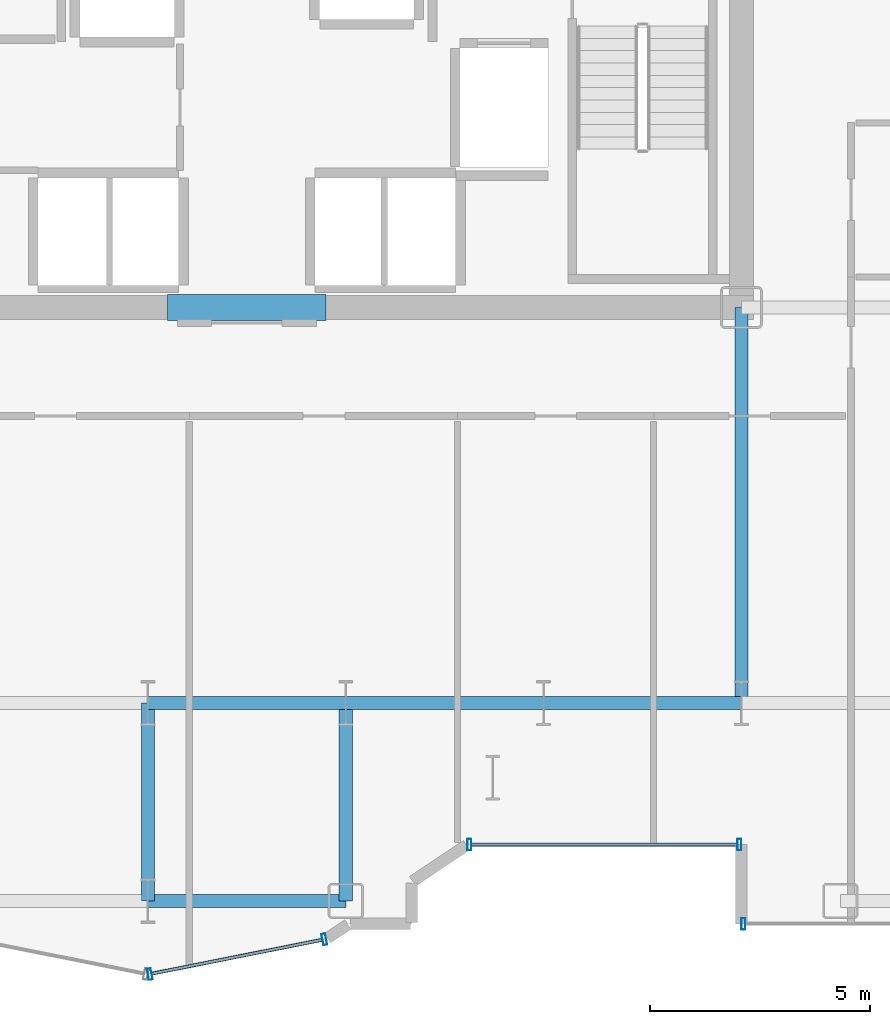
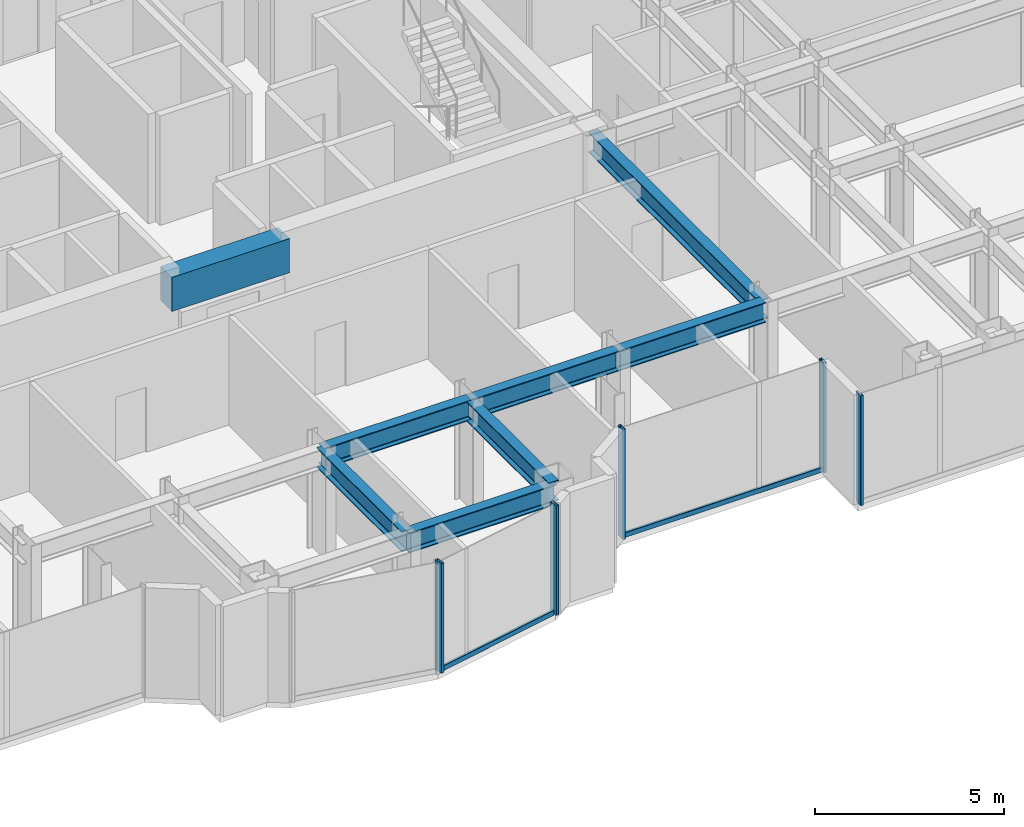
# One storey, part 6 of 26: 8 beams, 7 members, 3 elements without a shape of their own.
"""IFC4 building model written with IfcOpenShell, lengths in metres."""

from ifc_helpers import new_model, si_unit, direction, frame, origin, origin_2d, place, context, subcontext, project, spatial, rectangle, hollow_rectangle, i_section, extrude, source, transform, mapped, material, layer, layer_set, material_profile, profile_set, type_object, element, aggregate, save


model = new_model("IFC4")

# Units and contexts
model_context = context("Model", 3, precision=1e-05, world=origin(), true_north=direction((0.0, 1.0)))
body_context = subcontext(model_context, "Body", "Model", "MODEL_VIEW")
ifc_project = project(units=[si_unit("LENGTHUNIT", "METRE"), si_unit("AREAUNIT", "SQUARE_METRE"), si_unit("VOLUMEUNIT", "CUBIC_METRE"), si_unit("PLANEANGLEUNIT", "RADIAN"), si_unit("MASSUNIT", "GRAM", prefix="KILO")], contexts=[model_context])

# Site, building, storey
site_placement = place(None, origin())
site = spatial("IfcSite", under=ifc_project, at=site_placement, CompositionType="ELEMENT")
building_placement = place(site_placement, origin())
building = spatial("IfcBuilding", under=site, at=building_placement, Name="Nefas-Gora Pilgrimage Tower", CompositionType="ELEMENT")
storey_placement = place(building_placement, frame((0.0, 0.0, 128.800048828125)))
storey = spatial("IfcBuildingStorey", under=building, at=storey_placement, Name="L31", CompositionType="ELEMENT", Elevation=128.800048828125)

# Beams
ifc_material_1 = material(Name="Concrete C60/75", Category="concrete")
ifc_material_profile_1 = material_profile(ifc_material_1, rectangle(XDim=0.60009765625, YDim=1.10009765625, at=origin_2d()), Name="RC 600x1100")
ifc_profile_set_1 = profile_set([ifc_material_profile_1], Name="Concrete C60/75")
beam_type_1 = type_object("IfcBeamType", Name="BM-LIN-RC1100", PredefinedType="LINTEL", material=ifc_profile_set_1)
shared_shape_1 = source(origin(), body_context, "Body", "SweptSolid", [
    extrude(rectangle(XDim=0.60009765625, YDim=1.10009765625, at=origin_2d()), origin(), (0.0, 0.0, 1.0), 3.60009765625),
])
beam_1_placement = place(storey_placement, frame((-1.800048828125, -9.0, 3.0), z_axis=(1.0, 0.0, 0.0), x_axis=(0.0, 1.0, 0.0)))
element("IfcBeam", 1, at=beam_1_placement, inside=storey, type_object=beam_type_1, Name="L31 Core Coupling Lintel Beam S", PredefinedType="LINTEL", context=body_context, shape_type="MappedRepresentation", body=[
    mapped(shared_shape_1, transform((0.0, 0.0, 0.0), x_axis=(1.0, 0.0, 0.0), y_axis=(0.0, 1.0, 0.0), z_axis=(0.0, 0.0, 1.0), scale=1.0)),
])
ifc_material_2 = material(Name="Steel S355", Category="steel")
ifc_material_profile_2 = material_profile(ifc_material_2, i_section(OverallWidth=0.300048828125, OverallDepth=0.64990234375, WebThickness=0.01611328125, FlangeThickness=0.031005859375, FilletRadius=0.027099609375, at=origin_2d()), Name="HEB 650")
ifc_profile_set_2 = profile_set([ifc_material_profile_2], Name="Steel S355")
beam_type_2 = type_object("IfcBeamType", Name="BM-GIR-HEB650", PredefinedType="BEAM", material=ifc_profile_set_2)
shared_shape_2 = source(origin(), body_context, "Body", "SweptSolid", [
    extrude(i_section(OverallWidth=0.300048828125, OverallDepth=0.64990234375, WebThickness=0.01611328125, FlangeThickness=0.031005859375, FilletRadius=0.027099609375, at=origin_2d()), origin(), (0.0, 0.0, 1.0), 9.0),
])
beam_2_placement = place(storey_placement, frame((11.25, -18.0, 3.224853515625), z_axis=(0.0, 1.0, 0.0), x_axis=(-1.0, 0.0, 0.0)))
element("IfcBeam", 2, at=beam_2_placement, inside=storey, type_object=beam_type_2, Name="L31 G-03 beam", PredefinedType="BEAM", context=body_context, shape_type="MappedRepresentation", body=[
    mapped(shared_shape_2, transform((0.0, 0.0, 0.0), x_axis=(1.0, 0.0, 0.0), y_axis=(0.0, 1.0, 0.0), z_axis=(0.0, 0.0, 1.0), scale=1.0)),
])
shared_shape_3 = source(origin(), body_context, "Body", "SweptSolid", [
    extrude(i_section(OverallWidth=0.300048828125, OverallDepth=0.64990234375, WebThickness=0.01611328125, FlangeThickness=0.031005859375, FilletRadius=0.027099609375, at=origin_2d()), origin(), (0.0, 0.0, 1.0), 4.5),
])
for number, where, z_axis, x_axis, name in (
    (3, (-2.25, -22.5, 3.224853515625), (0.0, 1.0, 0.0), (-1.0, 0.0, 0.0), "L31 G-03 beam"),
    (4, (-2.25, -22.5, 3.224853515625), (1.0, 0.0, 0.0), (0.0, 1.0, 0.0), "L31 G-03 beam"),
    (5, (-2.25, -18.0, 3.224853515625), (1.0, 0.0, 0.0), (0.0, 1.0, 0.0), "L31 G-03 beam"),
    (6, (2.25, -22.5, 3.224853515625), (0.0, 1.0, 0.0), (-1.0, 0.0, 0.0), "L31 G-03 beam"),
    (7, (2.25, -18.0, 3.224853515625), (1.0, 0.0, 0.0), (0.0, 1.0, 0.0), "L31 G-03 beam"),
    (8, (6.75, -18.0, 3.224853515625), (1.0, 0.0, 0.0), (0.0, 1.0, 0.0), "L31 G-03 beam"),
):
    element("IfcBeam", number, at=place(storey_placement, frame(where, z_axis=z_axis, x_axis=x_axis)), inside=storey, type_object=beam_type_2, Name=name, PredefinedType="BEAM", context=body_context, shape_type="MappedRepresentation", body=[
        mapped(shared_shape_3, transform((0.0, 0.0, 0.0), x_axis=(1.0, 0.0, 0.0), y_axis=(0.0, 1.0, 0.0), z_axis=(0.0, 0.0, 1.0), scale=1.0)),
    ])

# Curtain wall, members
ifc_material_3 = material(Name="Dark ceramic-fritted solar-control aluminium-glass curtain wall", Category="aluminium")
ifc_layer_1 = layer(ifc_material_3, 0.219970703125)
ifc_layer_set_1 = layer_set([ifc_layer_1], Name="Dark ceramic-fritted solar-control aluminium-glass curtain wall")
curtain_wall_type_1 = type_object("IfcCurtainWallType", Name="CW-SYS-5", PredefinedType="NOTDEFINED", material=ifc_layer_set_1)
curtain_wall_1_placement = place(storey_placement, origin())
curtain_wall_1 = element("IfcCurtainWall", 9, at=curtain_wall_1_placement, inside=storey, type_object=curtain_wall_type_1, Name="L31 Unitised Curtain Wall CW5", PredefinedType="NOTDEFINED")
ifc_material_4 = material(Name="Anodised architectural aluminium", Category="aluminium")
ifc_material_profile_3 = material_profile(ifc_material_4, hollow_rectangle(XDim=0.090087890625, YDim=0.260009765625, WallThickness=0.006103515625, InnerFilletRadius=0.006103515625, OuterFilletRadius=0.011962890625, at=origin_2d()), Name="ALU MULLION 90x260")
ifc_profile_set_3 = profile_set([ifc_material_profile_3], Name="Anodised architectural aluminium")
member_type_1 = type_object("IfcMemberType", Name="CWM-MUL-5", PredefinedType="MULLION", material=ifc_profile_set_3)
shared_shape_4 = source(origin(), body_context, "Body", "SweptSolid", [
    extrude(hollow_rectangle(XDim=0.090087890625, YDim=0.260009765625, WallThickness=0.006103515625, InnerFilletRadius=0.006103515625, OuterFilletRadius=0.011962890625, at=origin_2d()), origin(), (0.0, 0.0, 1.0), 3.550048828125),
])
member_1_placement = place(storey_placement, frame((5.06298828125, -21.219970703125, 0.0), z_axis=(0.0, 0.0, 1.0), x_axis=(1.0, 0.0, 0.0)))
member_1 = element("IfcMember", 10, at=member_1_placement, type_object=member_type_1, Name="CW5 Mullion 1", PredefinedType="MULLION", context=body_context, shape_type="MappedRepresentation", body=[
    mapped(shared_shape_4, transform((0.0, 0.0, 0.0), x_axis=(1.0, 0.0, 0.0), y_axis=(0.0, 1.0, 0.0), z_axis=(0.0, 0.0, 1.0), scale=1.0)),
])
member_2_placement = place(storey_placement, frame((11.205078125, -21.219970703125, 0.0), z_axis=(0.0, 0.0, 1.0), x_axis=(1.0, 0.0, 0.0)))
member_2 = element("IfcMember", 11, at=member_2_placement, type_object=member_type_1, Name="CW5 Mullion 2", PredefinedType="MULLION", context=body_context, shape_type="MappedRepresentation", body=[
    mapped(shared_shape_4, transform((0.0, 0.0, 0.0), x_axis=(1.0, 0.0, 0.0), y_axis=(0.0, 1.0, 0.0), z_axis=(0.0, 0.0, 1.0), scale=1.0)),
])

curtain_wall_2_placement = place(storey_placement, origin())
curtain_wall_2 = element("IfcCurtainWall", 12, at=curtain_wall_2_placement, inside=storey, type_object=curtain_wall_type_1, Name="L31 Unitised Curtain Wall CW5", PredefinedType="NOTDEFINED")
member_3_placement = place(storey_placement, frame((-2.205810546875, -24.16357421875, 0.0), z_axis=(0.0, 0.0, 1.0), x_axis=(0.980782896852, 0.195102304554, 0.0)))
member_3 = element("IfcMember", 13, at=member_3_placement, type_object=member_type_1, Name="CW5 Mullion 1", PredefinedType="MULLION", context=body_context, shape_type="MappedRepresentation", body=[
    mapped(shared_shape_4, transform((0.0, 0.0, 0.0), x_axis=(1.0, 0.0, 0.0), y_axis=(0.0, 1.0, 0.0), z_axis=(0.0, 0.0, 1.0), scale=1.0)),
])
member_4_placement = place(storey_placement, frame((1.76318359375, -23.3740234375, 0.0), z_axis=(0.0, 0.0, 1.0), x_axis=(0.980782896852, 0.195102304554, 0.0)))
member_4 = element("IfcMember", 14, at=member_4_placement, type_object=member_type_1, Name="CW5 Mullion 2", PredefinedType="MULLION", context=body_context, shape_type="MappedRepresentation", body=[
    mapped(shared_shape_4, transform((0.0, 0.0, 0.0), x_axis=(1.0, 0.0, 0.0), y_axis=(0.0, 1.0, 0.0), z_axis=(0.0, 0.0, 1.0), scale=1.0)),
])

# Member
ifc_material_profile_4 = material_profile(ifc_material_4, hollow_rectangle(XDim=0.080078125, YDim=0.159912109375, WallThickness=0.00439453125, InnerFilletRadius=0.00439453125, OuterFilletRadius=0.009033203125, at=origin_2d()), Name="ALU TRANSOM 80x160")
ifc_profile_set_4 = profile_set([ifc_material_profile_4], Name="Anodised architectural aluminium")
member_type_2 = type_object("IfcMemberType", Name="CWM-TRN-5", PredefinedType="USERDEFINED", material=ifc_profile_set_4)
shared_shape_5 = source(origin(), body_context, "Body", "SweptSolid", [
    extrude(hollow_rectangle(XDim=0.080078125, YDim=0.159912109375, WallThickness=0.00439453125, InnerFilletRadius=0.00439453125, OuterFilletRadius=0.009033203125, at=origin_2d()), origin(), (0.0, 0.0, 1.0), 6.052001953125),
])
member_5_placement = place(storey_placement, frame((5.10791015625, -21.219970703125, 0.050048828125), z_axis=(1.0, 0.0, 0.0), x_axis=(0.0, 1.0, 0.0)))
member_5 = element("IfcMember", 15, at=member_5_placement, type_object=member_type_2, Name="CW5 Spandrel Transom", ObjectType="TRANSOM", PredefinedType="USERDEFINED", context=body_context, shape_type="MappedRepresentation", body=[
    mapped(shared_shape_5, transform((0.0, 0.0, 0.0), x_axis=(1.0, 0.0, 0.0), y_axis=(0.0, 1.0, 0.0), z_axis=(0.0, 0.0, 1.0), scale=1.0)),
])

aggregate(curtain_wall_1, [member_1, member_2, member_5])

# Curtain wall, member
ifc_layer_2 = layer(ifc_material_3, 0.219970703125)
ifc_layer_set_2 = layer_set([ifc_layer_2], Name="Dark ceramic-fritted solar-control aluminium-glass curtain wall")
curtain_wall_type_2 = type_object("IfcCurtainWallType", Name="CW-SYS-2", PredefinedType="NOTDEFINED", material=ifc_layer_set_2)
curtain_wall_3_placement = place(storey_placement, origin())
curtain_wall_3 = element("IfcCurtainWall", 16, at=curtain_wall_3_placement, inside=storey, type_object=curtain_wall_type_2, Name="L31 Unitised Curtain Wall CW2", PredefinedType="NOTDEFINED")
ifc_material_profile_5 = material_profile(ifc_material_4, hollow_rectangle(XDim=0.090087890625, YDim=0.260009765625, WallThickness=0.006103515625, InnerFilletRadius=0.006103515625, OuterFilletRadius=0.011962890625, at=origin_2d()), Name="ALU MULLION 90x260")
ifc_profile_set_5 = profile_set([ifc_material_profile_5], Name="Anodised architectural aluminium")
member_type_3 = type_object("IfcMemberType", Name="CWM-MUL-2", PredefinedType="MULLION", material=ifc_profile_set_5)
shared_shape_6 = source(origin(), body_context, "Body", "SweptSolid", [
    extrude(hollow_rectangle(XDim=0.090087890625, YDim=0.260009765625, WallThickness=0.006103515625, InnerFilletRadius=0.006103515625, OuterFilletRadius=0.011962890625, at=origin_2d()), origin(), (0.0, 0.0, 1.0), 3.550048828125),
])
member_6_placement = place(storey_placement, frame((11.294921875, -23.02001953125, 0.0), z_axis=(0.0, 0.0, 1.0), x_axis=(1.0, 0.0, 0.0)))
member_6 = element("IfcMember", 17, at=member_6_placement, type_object=member_type_3, Name="CW2 Mullion 1", PredefinedType="MULLION", context=body_context, shape_type="MappedRepresentation", body=[
    mapped(shared_shape_6, transform((0.0, 0.0, 0.0), x_axis=(1.0, 0.0, 0.0), y_axis=(0.0, 1.0, 0.0), z_axis=(0.0, 0.0, 1.0), scale=1.0)),
])
aggregate(curtain_wall_3, [member_6])

# Member
shared_shape_7 = source(origin(), body_context, "Body", "SweptSolid", [
    extrude(hollow_rectangle(XDim=0.080078125, YDim=0.159912109375, WallThickness=0.00439453125, InnerFilletRadius=0.00439453125, OuterFilletRadius=0.009033203125, at=origin_2d()), origin(), (0.0, 0.0, 1.0), 3.95654296875),
])
member_7_placement = place(storey_placement, frame((-2.16162109375, -24.15478515625, 0.050048828125), z_axis=(0.980781880918, 0.195107411605, 0.0), x_axis=(-0.195107411605, 0.980781880918, 0.0)))
member_7 = element("IfcMember", 18, at=member_7_placement, type_object=member_type_2, Name="CW5 Spandrel Transom", ObjectType="TRANSOM", PredefinedType="USERDEFINED", context=body_context, shape_type="MappedRepresentation", body=[
    mapped(shared_shape_7, transform((0.0, 0.0, 0.0), x_axis=(1.0, 0.0, 0.0), y_axis=(0.0, 1.0, 0.0), z_axis=(0.0, 0.0, 1.0), scale=1.0)),
])

aggregate(curtain_wall_2, [member_3, member_4, member_7])

save(model, "model.ifc")
